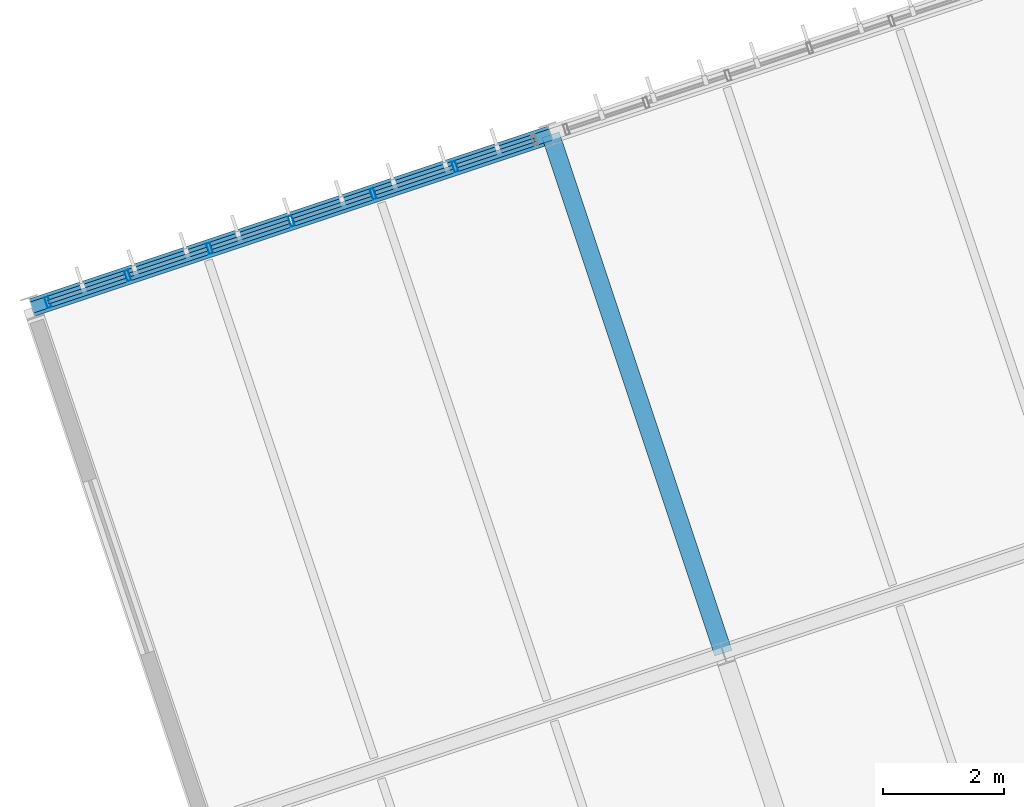
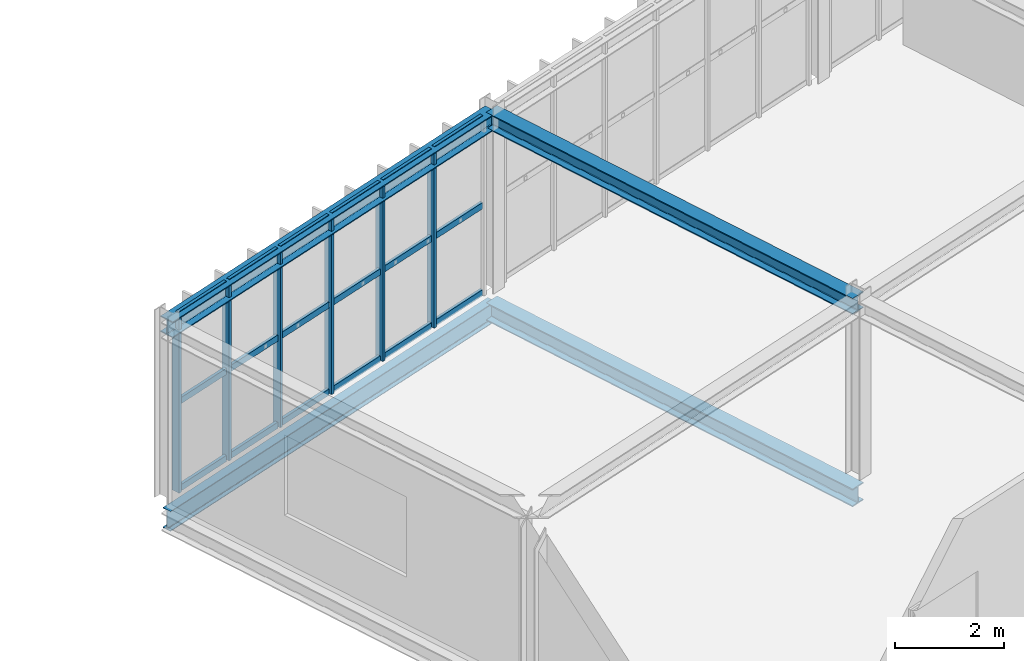
# One storey, part 12 of 61: 24 members, 4 beams, 1 element without a shape of its own.
"""IFC4 building model written with IfcOpenShell, lengths in metres."""

from ifc_helpers import new_model, si_unit, derived_unit, direction, frame, origin, origin_2d, place, context, subcontext, project, spatial, hollow_rectangle, i_section, extrude, material, material_profile, profile_set, type_object, element, aggregate, save


model = new_model("IFC4")

# Units and contexts
model_context = context("Model", 3, precision=1e-05, world=origin(), true_north=direction((0.0, 1.0)))
body_context = subcontext(model_context, "Body", "Model", "MODEL_VIEW")
ifc_project = project(units=[si_unit("LENGTHUNIT", "METRE"), si_unit("AREAUNIT", "SQUARE_METRE"), si_unit("VOLUMEUNIT", "CUBIC_METRE"), si_unit("PLANEANGLEUNIT", "RADIAN"), si_unit("MASSUNIT", "GRAM", prefix="KILO"), si_unit("THERMODYNAMICTEMPERATUREUNIT", "KELVIN"), si_unit("TIMEUNIT", "SECOND"), derived_unit("THERMALTRANSMITTANCEUNIT", [(si_unit("MASSUNIT", "GRAM", prefix="KILO"), 1), (si_unit("THERMODYNAMICTEMPERATUREUNIT", "KELVIN"), -1), (si_unit("TIMEUNIT", "SECOND"), -3)])], contexts=[model_context])

# Site, building, storey
site_placement = place(None, origin())
site = spatial("IfcSite", under=ifc_project, at=site_placement, CompositionType="ELEMENT")
building_placement = place(site_placement, origin())
building = spatial("IfcBuilding", under=site, at=building_placement, Name="Cambertide Market Hall", CompositionType="ELEMENT")
storey_placement = place(building_placement, frame((0.0, 0.0, 9.89990234375)))
storey = spatial("IfcBuildingStorey", under=building, at=storey_placement, Name="L03", CompositionType="ELEMENT", Elevation=9.89990234375)

# Curtain wall, members
ifc_material_1 = material(Name="Marine Anodized Aluminium 6063-T6 AA25", Category="aluminium")
curtain_wall_type = type_object("IfcCurtainWallType", Name="Tasting Hall Panorama Curtain Wall", PredefinedType="USERDEFINED", material=ifc_material_1)
curtain_wall_placement = place(storey_placement, origin())
curtain_wall = element("IfcCurtainWall", 1, at=curtain_wall_placement, inside=storey, type_object=curtain_wall_type, Name="Level 3 Curtain Wall CW-V3N-L03-1", ObjectType="UNITIZED CURTAIN WALL", PredefinedType="USERDEFINED")
ifc_material_2 = material(Name="Champagne Marine Anodized Aluminium 6063-T6 AA25", Category="aluminium")
ifc_material_profile_1 = material_profile(ifc_material_2, hollow_rectangle(XDim=0.06494140625, YDim=0.179931640625, WallThickness=0.00390625, at=origin_2d()), Name="ALU MULLION 65x180")
ifc_profile_set_1 = profile_set([ifc_material_profile_1], Name="Champagne Marine Anodized Aluminium 6063-T6 AA25")
member_type_1 = type_object("IfcMemberType", Name="Curtain Wall Mullion ALU MULLION 65x180", PredefinedType="MULLION", material=ifc_profile_set_1)
member_1_placement = place(storey_placement, frame((97.72265625, 37.701416015625, 0.0), z_axis=(0.0, 0.0, 1.0), x_axis=(0.948683321523, 0.316227695598, 0.0)))
member_1 = element("IfcMember", 2, at=member_1_placement, type_object=member_type_1, Name="CW-V3N-L03-1 Mullion 1", PredefinedType="MULLION", context=body_context, shape_type="SweptSolid", body=[
    extrude(hollow_rectangle(XDim=0.06494140625, YDim=0.179931640625, WallThickness=0.00390625, at=origin_2d()), origin(), (0.0, 0.0, 1.0), 3.97998046875),
])
member_2_placement = place(storey_placement, frame((99.03662109375, 38.139404296875, 0.0), z_axis=(0.0, 0.0, 1.0), x_axis=(0.948683321523, 0.316227695598, 0.0)))
member_2 = element("IfcMember", 3, at=member_2_placement, type_object=member_type_1, Name="CW-V3N-L03-1 Mullion 2", PredefinedType="MULLION", context=body_context, shape_type="SweptSolid", body=[
    extrude(hollow_rectangle(XDim=0.06494140625, YDim=0.179931640625, WallThickness=0.00390625, at=origin_2d()), origin(), (0.0, 0.0, 1.0), 3.97998046875),
])
member_3_placement = place(storey_placement, frame((100.3837890625, 38.58837890625, 0.0), z_axis=(0.0, 0.0, 1.0), x_axis=(0.948683321523, 0.316227695598, 0.0)))
member_3 = element("IfcMember", 4, at=member_3_placement, type_object=member_type_1, Name="CW-V3N-L03-1 Mullion 3", PredefinedType="MULLION", context=body_context, shape_type="SweptSolid", body=[
    extrude(hollow_rectangle(XDim=0.06494140625, YDim=0.179931640625, WallThickness=0.00390625, at=origin_2d()), origin(), (0.0, 0.0, 1.0), 3.97998046875),
])
member_4_placement = place(storey_placement, frame((101.73095703125, 39.037353515625, 0.0), z_axis=(0.0, 0.0, 1.0), x_axis=(0.948683321523, 0.316227695598, 0.0)))
member_4 = element("IfcMember", 5, at=member_4_placement, type_object=member_type_1, Name="CW-V3N-L03-1 Mullion 4", PredefinedType="MULLION", context=body_context, shape_type="SweptSolid", body=[
    extrude(hollow_rectangle(XDim=0.06494140625, YDim=0.179931640625, WallThickness=0.00390625, at=origin_2d()), origin(), (0.0, 0.0, 1.0), 3.97998046875),
])
member_5_placement = place(storey_placement, frame((103.078125, 39.486572265625, 0.0), z_axis=(0.0, 0.0, 1.0), x_axis=(0.948683321523, 0.316227695598, 0.0)))
member_5 = element("IfcMember", 6, at=member_5_placement, type_object=member_type_1, Name="CW-V3N-L03-1 Mullion 5", PredefinedType="MULLION", context=body_context, shape_type="SweptSolid", body=[
    extrude(hollow_rectangle(XDim=0.06494140625, YDim=0.179931640625, WallThickness=0.00390625, at=origin_2d()), origin(), (0.0, 0.0, 1.0), 3.97998046875),
])
member_6_placement = place(storey_placement, frame((104.42529296875, 39.935546875, 0.0), z_axis=(0.0, 0.0, 1.0), x_axis=(0.948683321523, 0.316227695598, 0.0)))
member_6 = element("IfcMember", 7, at=member_6_placement, type_object=member_type_1, Name="CW-V3N-L03-1 Mullion 6", PredefinedType="MULLION", context=body_context, shape_type="SweptSolid", body=[
    extrude(hollow_rectangle(XDim=0.06494140625, YDim=0.179931640625, WallThickness=0.00390625, at=origin_2d()), origin(), (0.0, 0.0, 1.0), 3.97998046875),
])
ifc_material_3 = material(Name="Champagne Marine Anodized Aluminium 6063-T6 AA25", Category="aluminium")
ifc_material_profile_2 = material_profile(ifc_material_3, hollow_rectangle(XDim=0.06494140625, YDim=0.139892578125, WallThickness=0.00341796875, at=origin_2d()), Name="ALU TRANSOM 65x140")
ifc_profile_set_2 = profile_set([ifc_material_profile_2], Name="Champagne Marine Anodized Aluminium 6063-T6 AA25")
member_type_2 = type_object("IfcMemberType", Name="Curtain Wall Transom ALU TRANSOM 65x140", PredefinedType="USERDEFINED", material=ifc_profile_set_2)
member_7_placement = place(storey_placement, frame((97.7275390625, 37.702880859375, 0.03515625), z_axis=(0.948665077442, 0.316282422593, 0.0), x_axis=(-0.316282422593, 0.948665077442, 0.0)))
member_7 = element("IfcMember", 8, at=member_7_placement, type_object=member_type_2, Name="CW-V3N-L03-1 Transom 1-1", ObjectType="TRANSOM", PredefinedType="USERDEFINED", context=body_context, shape_type="SweptSolid", body=[
    extrude(hollow_rectangle(XDim=0.06494140625, YDim=0.139892578125, WallThickness=0.00341796875, at=origin_2d()), origin(), (0.0, 0.0, 1.0), 1.340087890625),
])
member_8_placement = place(storey_placement, frame((99.07470703125, 38.152099609375, 0.03515625), z_axis=(0.948719731918, 0.316118443418, 0.0), x_axis=(-0.316118443418, 0.948719731918, 0.0)))
member_8 = element("IfcMember", 9, at=member_8_placement, type_object=member_type_2, Name="CW-V3N-L03-1 Transom 1-2", ObjectType="TRANSOM", PredefinedType="USERDEFINED", context=body_context, shape_type="SweptSolid", body=[
    extrude(hollow_rectangle(XDim=0.06494140625, YDim=0.139892578125, WallThickness=0.00341796875, at=origin_2d()), origin(), (0.0, 0.0, 1.0), 1.33984375),
])
member_9_placement = place(storey_placement, frame((100.421630859375, 38.60107421875, 0.03515625), z_axis=(0.948665077442, 0.316282422593, 0.0), x_axis=(-0.316282422593, 0.948665077442, 0.0)))
member_9 = element("IfcMember", 10, at=member_9_placement, type_object=member_type_2, Name="CW-V3N-L03-1 Transom 1-3", ObjectType="TRANSOM", PredefinedType="USERDEFINED", context=body_context, shape_type="SweptSolid", body=[
    extrude(hollow_rectangle(XDim=0.06494140625, YDim=0.139892578125, WallThickness=0.00341796875, at=origin_2d()), origin(), (0.0, 0.0, 1.0), 1.340087890625),
])
member_10_placement = place(storey_placement, frame((101.768798828125, 39.050048828125, 0.03515625), z_axis=(0.948665077442, 0.316282422593, 0.0), x_axis=(-0.316282422593, 0.948665077442, 0.0)))
member_10 = element("IfcMember", 11, at=member_10_placement, type_object=member_type_2, Name="CW-V3N-L03-1 Transom 1-4", ObjectType="TRANSOM", PredefinedType="USERDEFINED", context=body_context, shape_type="SweptSolid", body=[
    extrude(hollow_rectangle(XDim=0.06494140625, YDim=0.139892578125, WallThickness=0.00341796875, at=origin_2d()), origin(), (0.0, 0.0, 1.0), 1.340087890625),
])
member_11_placement = place(storey_placement, frame((103.115966796875, 39.499267578125, 0.03515625), z_axis=(0.948719731918, 0.316118443418, 0.0), x_axis=(-0.316118443418, 0.948719731918, 0.0)))
member_11 = element("IfcMember", 12, at=member_11_placement, type_object=member_type_2, Name="CW-V3N-L03-1 Transom 1-5", ObjectType="TRANSOM", PredefinedType="USERDEFINED", context=body_context, shape_type="SweptSolid", body=[
    extrude(hollow_rectangle(XDim=0.06494140625, YDim=0.139892578125, WallThickness=0.00341796875, at=origin_2d()), origin(), (0.0, 0.0, 1.0), 1.33984375),
])
member_12_placement = place(storey_placement, frame((104.463134765625, 39.9482421875, 0.03515625), z_axis=(0.948665077442, 0.316282422593, 0.0), x_axis=(-0.316282422593, 0.948665077442, 0.0)))
member_12 = element("IfcMember", 13, at=member_12_placement, type_object=member_type_2, Name="CW-V3N-L03-1 Transom 1-6", ObjectType="TRANSOM", PredefinedType="USERDEFINED", context=body_context, shape_type="SweptSolid", body=[
    extrude(hollow_rectangle(XDim=0.06494140625, YDim=0.139892578125, WallThickness=0.00341796875, at=origin_2d()), origin(), (0.0, 0.0, 1.0), 1.340087890625),
])
member_13_placement = place(storey_placement, frame((97.7275390625, 37.702880859375, 1.989990234375), z_axis=(0.948665077442, 0.316282422593, 0.0), x_axis=(-0.316282422593, 0.948665077442, 0.0)))
member_13 = element("IfcMember", 14, at=member_13_placement, type_object=member_type_2, Name="CW-V3N-L03-1 Transom 2-1", ObjectType="TRANSOM", PredefinedType="USERDEFINED", context=body_context, shape_type="SweptSolid", body=[
    extrude(hollow_rectangle(XDim=0.06494140625, YDim=0.139892578125, WallThickness=0.00341796875, at=origin_2d()), origin(), (0.0, 0.0, 1.0), 1.340087890625),
])
member_14_placement = place(storey_placement, frame((99.07470703125, 38.152099609375, 1.989990234375), z_axis=(0.948719731918, 0.316118443418, 0.0), x_axis=(-0.316118443418, 0.948719731918, 0.0)))
member_14 = element("IfcMember", 15, at=member_14_placement, type_object=member_type_2, Name="CW-V3N-L03-1 Transom 2-2", ObjectType="TRANSOM", PredefinedType="USERDEFINED", context=body_context, shape_type="SweptSolid", body=[
    extrude(hollow_rectangle(XDim=0.06494140625, YDim=0.139892578125, WallThickness=0.00341796875, at=origin_2d()), origin(), (0.0, 0.0, 1.0), 1.33984375),
])
member_15_placement = place(storey_placement, frame((100.421630859375, 38.60107421875, 1.989990234375), z_axis=(0.948665077442, 0.316282422593, 0.0), x_axis=(-0.316282422593, 0.948665077442, 0.0)))
member_15 = element("IfcMember", 16, at=member_15_placement, type_object=member_type_2, Name="CW-V3N-L03-1 Transom 2-3", ObjectType="TRANSOM", PredefinedType="USERDEFINED", context=body_context, shape_type="SweptSolid", body=[
    extrude(hollow_rectangle(XDim=0.06494140625, YDim=0.139892578125, WallThickness=0.00341796875, at=origin_2d()), origin(), (0.0, 0.0, 1.0), 1.340087890625),
])
member_16_placement = place(storey_placement, frame((101.768798828125, 39.050048828125, 1.989990234375), z_axis=(0.948665077442, 0.316282422593, 0.0), x_axis=(-0.316282422593, 0.948665077442, 0.0)))
member_16 = element("IfcMember", 17, at=member_16_placement, type_object=member_type_2, Name="CW-V3N-L03-1 Transom 2-4", ObjectType="TRANSOM", PredefinedType="USERDEFINED", context=body_context, shape_type="SweptSolid", body=[
    extrude(hollow_rectangle(XDim=0.06494140625, YDim=0.139892578125, WallThickness=0.00341796875, at=origin_2d()), origin(), (0.0, 0.0, 1.0), 1.340087890625),
])
member_17_placement = place(storey_placement, frame((103.115966796875, 39.499267578125, 1.989990234375), z_axis=(0.948719731918, 0.316118443418, 0.0), x_axis=(-0.316118443418, 0.948719731918, 0.0)))
member_17 = element("IfcMember", 18, at=member_17_placement, type_object=member_type_2, Name="CW-V3N-L03-1 Transom 2-5", ObjectType="TRANSOM", PredefinedType="USERDEFINED", context=body_context, shape_type="SweptSolid", body=[
    extrude(hollow_rectangle(XDim=0.06494140625, YDim=0.139892578125, WallThickness=0.00341796875, at=origin_2d()), origin(), (0.0, 0.0, 1.0), 1.33984375),
])
member_18_placement = place(storey_placement, frame((104.463134765625, 39.9482421875, 1.989990234375), z_axis=(0.948665077442, 0.316282422593, 0.0), x_axis=(-0.316282422593, 0.948665077442, 0.0)))
member_18 = element("IfcMember", 19, at=member_18_placement, type_object=member_type_2, Name="CW-V3N-L03-1 Transom 2-6", ObjectType="TRANSOM", PredefinedType="USERDEFINED", context=body_context, shape_type="SweptSolid", body=[
    extrude(hollow_rectangle(XDim=0.06494140625, YDim=0.139892578125, WallThickness=0.00341796875, at=origin_2d()), origin(), (0.0, 0.0, 1.0), 1.340087890625),
])
member_19_placement = place(storey_placement, frame((97.7275390625, 37.702880859375, 3.945068359375), z_axis=(0.948665077442, 0.316282422593, 0.0), x_axis=(-0.316282422593, 0.948665077442, 0.0)))
member_19 = element("IfcMember", 20, at=member_19_placement, type_object=member_type_2, Name="CW-V3N-L03-1 Transom 3-1", ObjectType="TRANSOM", PredefinedType="USERDEFINED", context=body_context, shape_type="SweptSolid", body=[
    extrude(hollow_rectangle(XDim=0.06494140625, YDim=0.139892578125, WallThickness=0.00341796875, at=origin_2d()), origin(), (0.0, 0.0, 1.0), 1.340087890625),
])
member_20_placement = place(storey_placement, frame((99.07470703125, 38.152099609375, 3.945068359375), z_axis=(0.948719731918, 0.316118443418, 0.0), x_axis=(-0.316118443418, 0.948719731918, 0.0)))
member_20 = element("IfcMember", 21, at=member_20_placement, type_object=member_type_2, Name="CW-V3N-L03-1 Transom 3-2", ObjectType="TRANSOM", PredefinedType="USERDEFINED", context=body_context, shape_type="SweptSolid", body=[
    extrude(hollow_rectangle(XDim=0.06494140625, YDim=0.139892578125, WallThickness=0.00341796875, at=origin_2d()), origin(), (0.0, 0.0, 1.0), 1.33984375),
])
member_21_placement = place(storey_placement, frame((100.421630859375, 38.60107421875, 3.945068359375), z_axis=(0.948665077442, 0.316282422593, 0.0), x_axis=(-0.316282422593, 0.948665077442, 0.0)))
member_21 = element("IfcMember", 22, at=member_21_placement, type_object=member_type_2, Name="CW-V3N-L03-1 Transom 3-3", ObjectType="TRANSOM", PredefinedType="USERDEFINED", context=body_context, shape_type="SweptSolid", body=[
    extrude(hollow_rectangle(XDim=0.06494140625, YDim=0.139892578125, WallThickness=0.00341796875, at=origin_2d()), origin(), (0.0, 0.0, 1.0), 1.340087890625),
])
member_22_placement = place(storey_placement, frame((101.768798828125, 39.050048828125, 3.945068359375), z_axis=(0.948665077442, 0.316282422593, 0.0), x_axis=(-0.316282422593, 0.948665077442, 0.0)))
member_22 = element("IfcMember", 23, at=member_22_placement, type_object=member_type_2, Name="CW-V3N-L03-1 Transom 3-4", ObjectType="TRANSOM", PredefinedType="USERDEFINED", context=body_context, shape_type="SweptSolid", body=[
    extrude(hollow_rectangle(XDim=0.06494140625, YDim=0.139892578125, WallThickness=0.00341796875, at=origin_2d()), origin(), (0.0, 0.0, 1.0), 1.340087890625),
])
member_23_placement = place(storey_placement, frame((103.115966796875, 39.499267578125, 3.945068359375), z_axis=(0.948719731918, 0.316118443418, 0.0), x_axis=(-0.316118443418, 0.948719731918, 0.0)))
member_23 = element("IfcMember", 24, at=member_23_placement, type_object=member_type_2, Name="CW-V3N-L03-1 Transom 3-5", ObjectType="TRANSOM", PredefinedType="USERDEFINED", context=body_context, shape_type="SweptSolid", body=[
    extrude(hollow_rectangle(XDim=0.06494140625, YDim=0.139892578125, WallThickness=0.00341796875, at=origin_2d()), origin(), (0.0, 0.0, 1.0), 1.33984375),
])
member_24_placement = place(storey_placement, frame((104.463134765625, 39.9482421875, 3.945068359375), z_axis=(0.948665077442, 0.316282422593, 0.0), x_axis=(-0.316282422593, 0.948665077442, 0.0)))
member_24 = element("IfcMember", 25, at=member_24_placement, type_object=member_type_2, Name="CW-V3N-L03-1 Transom 3-6", ObjectType="TRANSOM", PredefinedType="USERDEFINED", context=body_context, shape_type="SweptSolid", body=[
    extrude(hollow_rectangle(XDim=0.06494140625, YDim=0.139892578125, WallThickness=0.00341796875, at=origin_2d()), origin(), (0.0, 0.0, 1.0), 1.340087890625),
])
aggregate(curtain_wall, [member_1, member_2, member_3, member_4, member_5, member_6, member_7, member_8, member_9, member_10, member_11, member_12, member_13, member_14, member_15, member_16, member_17, member_18, member_19, member_20, member_21, member_22, member_23, member_24])

# Beams
ifc_material_4 = material(Name="Steel S355", Category="steel")
ifc_material_profile_3 = material_profile(ifc_material_4, i_section(OverallWidth=0.300048828125, OverallDepth=0.360107421875, WebThickness=0.012451171875, FlangeThickness=0.0224609375, FilletRadius=0.027099609375, at=origin_2d()), Name="HEB 360")
ifc_profile_set_3 = profile_set([ifc_material_profile_3], Name="Steel S355")
beam_type_1 = type_object("IfcBeamType", Name="Exterior Steel Girder HEB 360", PredefinedType="BEAM", material=ifc_profile_set_3)
for number, where, z_axis, x_axis, name in (
    (26, (97.4619140625, 37.614501953125, 3.820068359375), (0.948686010717, 0.3162196279, 0.0), (-0.3162196279, 0.948686010717, 0.0), "Level 3 Beam BM-V3U-RF-1-4"),
    (27, (108.845947265625, 31.92236328125, 3.820068359375), (-0.3162196279, 0.948686010717, 0.0), (-0.948686010717, -0.3162196279, 0.0), "Level 3 Beam BM-V3V-RF-2-3"),
):
    element("IfcBeam", number, at=place(storey_placement, frame(where, z_axis=z_axis, x_axis=x_axis)), inside=storey, type_object=beam_type_1, Name=name, PredefinedType="BEAM", context=body_context, shape_type="SweptSolid", body=[
        extrude(i_section(OverallWidth=0.300048828125, OverallDepth=0.360107421875, WebThickness=0.012451171875, FlangeThickness=0.0224609375, FilletRadius=0.027099609375, at=origin_2d()), origin(), (0.0, 0.0, 1.0), 9.0),
    ])
ifc_material_5 = material(Name="Steel S355", Category="steel")
ifc_material_profile_4 = material_profile(ifc_material_5, i_section(OverallWidth=0.18994140625, OverallDepth=0.449951171875, WebThickness=0.009521484375, FlangeThickness=0.0146484375, FilletRadius=0.02099609375, at=origin_2d()), Name="IPE 450")
ifc_profile_set_4 = profile_set([ifc_material_profile_4], Name="Steel S355")
beam_type_2 = type_object("IfcBeamType", Name="Perimeter Spandrel Beam IPE 450", PredefinedType="SPANDREL", material=ifc_profile_set_4)
beam_1_placement = place(storey_placement, frame((97.4619140625, 37.614501953125, -0.5), z_axis=(0.948686010717, 0.3162196279, 0.0), x_axis=(-0.3162196279, 0.948686010717, 0.0)))
element("IfcBeam", 28, at=beam_1_placement, inside=storey, type_object=beam_type_2, Name="Level 3 Spandrel BM-V3U-L03-1-4", PredefinedType="SPANDREL", context=body_context, shape_type="SweptSolid", body=[
    extrude(i_section(OverallWidth=0.18994140625, OverallDepth=0.449951171875, WebThickness=0.009521484375, FlangeThickness=0.0146484375, FilletRadius=0.02099609375, at=origin_2d()), origin(), (0.0, 0.0, 1.0), 9.0),
])
ifc_material_6 = material(Name="Steel S355", Category="steel")
ifc_material_profile_5 = material_profile(ifc_material_6, i_section(OverallWidth=0.300048828125, OverallDepth=0.39990234375, WebThickness=0.013427734375, FlangeThickness=0.02392578125, FilletRadius=0.027099609375, at=origin_2d()), Name="HEB 400")
ifc_profile_set_5 = profile_set([ifc_material_profile_5], Name="Steel S355")
beam_type_3 = type_object("IfcBeamType", Name="Steel Girder HEB 400", PredefinedType="BEAM", material=ifc_profile_set_5)
beam_2_placement = place(storey_placement, frame((108.845947265625, 31.92236328125, -0.474853515625), z_axis=(-0.3162196279, 0.948686010717, 0.0), x_axis=(-0.948686010717, -0.3162196279, 0.0)))
element("IfcBeam", 29, at=beam_2_placement, inside=storey, type_object=beam_type_3, Name="Level 3 Beam BM-V3V-L03-2-3", PredefinedType="BEAM", context=body_context, shape_type="SweptSolid", body=[
    extrude(i_section(OverallWidth=0.300048828125, OverallDepth=0.39990234375, WebThickness=0.013427734375, FlangeThickness=0.02392578125, FilletRadius=0.027099609375, at=origin_2d()), origin(), (0.0, 0.0, 1.0), 9.0),
])

save(model, "model.ifc")
